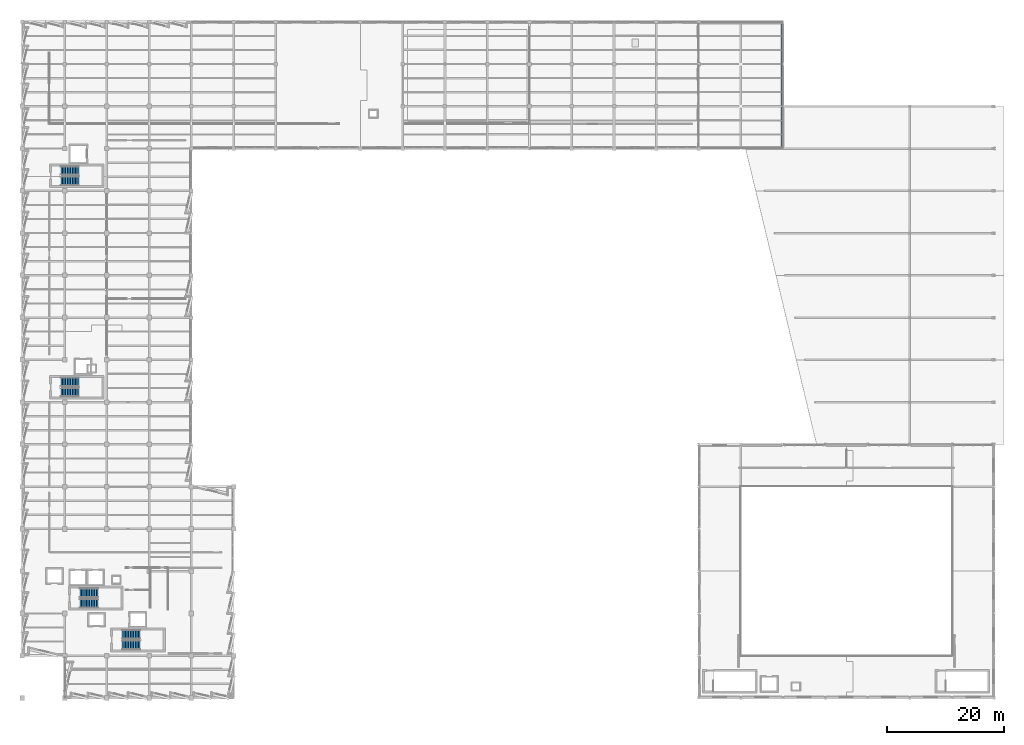
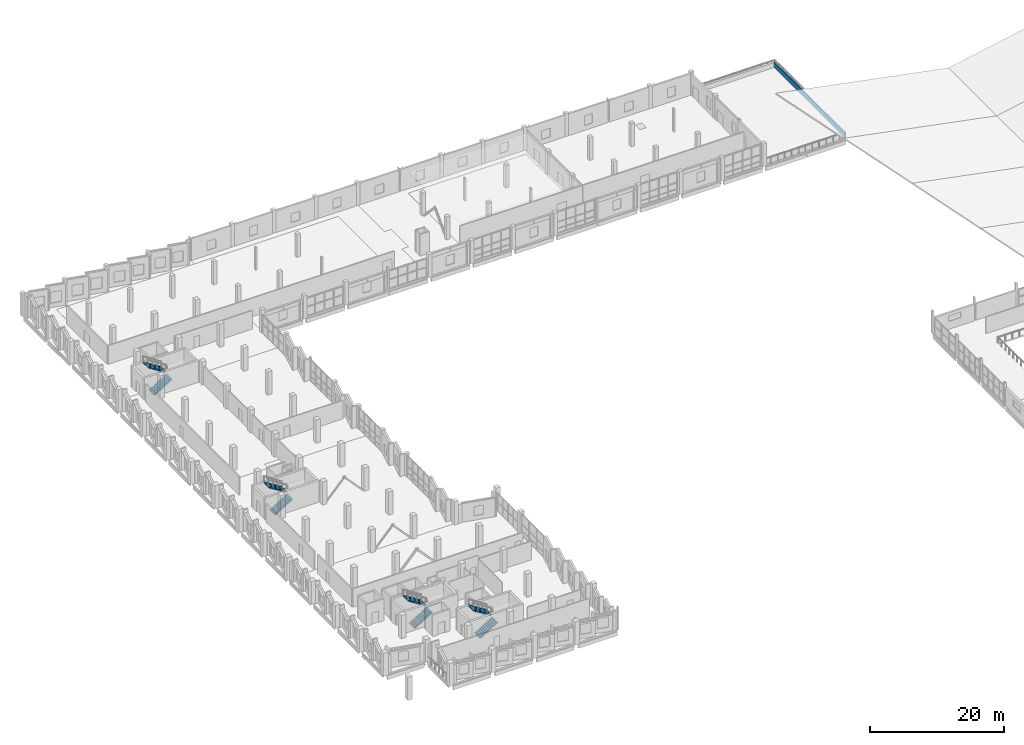
# One storey, part 76 of 94: 8 stair flights, 1 wall, 4 elements without a shape of their own.
"""IFC4 building model written with IfcOpenShell, lengths in metres."""

from ifc_helpers import new_model, si_unit, direction, frame, frame_2d, origin, place, context, subcontext, project, spatial, polyline, rectangle, outline, extrude, material, layer, layer_set, type_object, element, aggregate, save


model = new_model("IFC4")

# Units and contexts
model_context = context("Model", 3, precision=1e-05, world=origin(), true_north=direction((0.0, 1.0)))
body_context = subcontext(model_context, "Body", "Model", "MODEL_VIEW")
ifc_project = project(units=[si_unit("LENGTHUNIT", "METRE"), si_unit("AREAUNIT", "SQUARE_METRE"), si_unit("VOLUMEUNIT", "CUBIC_METRE"), si_unit("PLANEANGLEUNIT", "RADIAN"), si_unit("MASSUNIT", "GRAM", prefix="KILO")], contexts=[model_context])

# Site, building, storey
site_placement = place(None, origin())
site = spatial("IfcSite", under=ifc_project, at=site_placement, CompositionType="ELEMENT")
building_placement = place(site_placement, origin())
building = spatial("IfcBuilding", under=site, at=building_placement, Name="Kalmorath City Hall", CompositionType="ELEMENT")
storey_placement = place(building_placement, frame((0.0, 0.0, 14.699951171875)))
storey = spatial("IfcBuildingStorey", under=building, at=storey_placement, Name="L03", CompositionType="ELEMENT", Elevation=14.699951171875)

# Wall
ifc_material_1 = material(Name="Precast concrete C40/50", Category="concrete")
ifc_layer = layer(ifc_material_1, 0.219970703125)
ifc_layer_set = layer_set([ifc_layer], Name="Precast concrete C40/50")
wall_type = type_object("IfcWallType", Name="Precast concrete roof parapet 220", PredefinedType="PARAPET", material=ifc_layer_set)
wall_placement = place(storey_placement, frame((129.39990234375, 93.800048828125, 0.0), z_axis=(0.0, 0.0, 1.0), x_axis=(0.0, 1.0, 0.0)))
element("IfcWall", 1, at=wall_placement, inside=storey, type_object=wall_type, Name="L03 parapet PR1-2", PredefinedType="PARAPET", context=body_context, shape_type="SweptSolid", body=[
    extrude(rectangle(XDim=21.199951171875, YDim=0.219970703125, at=frame_2d((10.60009765625, 0.0))), origin(), (0.0, 0.0, 1.0), 0.900146484375),
])

# Stair, stair flights
ifc_material_2 = material(Name="Concrete C40/50", Category="concrete")
stair_type_1 = type_object("IfcStairType", Name="Dogleg concrete exit stair 24R x 175mm W1550", PredefinedType="HALF_TURN_STAIR", material=ifc_material_2)
stair_1_placement = place(storey_placement, origin())
stair_1 = element("IfcStair", 2, at=stair_1_placement, inside=storey, type_object=stair_type_1, Name="L03 Protected exit stair ST-3", PredefinedType="HALF_TURN_STAIR")
ifc_material_3 = material(Name="Concrete C40/50", Category="concrete")
stair_flight_type_1 = type_object("IfcStairFlightType", Name="Concrete stair flight 175x280 W1550", PredefinedType="STRAIGHT", material=ifc_material_3)
stair_flight_1_placement = place(storey_placement, frame((6.550048828125, 52.074951171875, 0.0), z_axis=(0.0, 0.0, 1.0), x_axis=(1.0, 0.0, 0.0)))
stair_flight_1 = element("IfcStairFlight", 3, at=stair_flight_1_placement, type_object=stair_flight_type_1, Name="ST-3 flight 1", NumberOfRisers=12, NumberOfTreads=11, PredefinedType="STRAIGHT", RiserHeight=0.175, TreadLength=0.28, context=body_context, shape_type="SweptSolid", body=[
    extrude(outline(polyline([(0.0, 0.0), (0.0, 0.175048828125), (0.280029296875, 0.175048828125), (0.280029296875, 0.35009765625), (0.56005859375, 0.35009765625), (0.56005859375, 0.52490234375), (0.840087890625, 0.52490234375), (0.840087890625, 0.699951171875), (1.1201171875, 0.699951171875), (1.1201171875, 0.875), (1.39990234375, 0.875), (1.39990234375, 1.050048828125), (1.679931640625, 1.050048828125), (1.679931640625, 1.22509765625), (1.9599609375, 1.22509765625), (1.9599609375, 1.39990234375), (2.239990234375, 1.39990234375), (2.239990234375, 1.574951171875), (2.52001953125, 1.574951171875), (2.52001953125, 1.75), (2.800048828125, 1.75), (2.800048828125, 1.925048828125), (3.080078125, 1.925048828125), (3.080078125, 2.10009765625), (3.080078125, 1.748291015625), (0.28271484375, 0.0), (0.0, 0.0)])), frame((0.0, 0.77490234375, 0.0), z_axis=(0.0, -1.0, 0.0), x_axis=(1.0, 0.0, 0.0)), (0.0, 0.0, 1.0), 1.550048828125),
])
stair_flight_2_placement = place(storey_placement, frame((9.6298828125, 53.824951171875, 2.10009765625), z_axis=(0.0, 0.0, 1.0), x_axis=(-1.0, 0.0, 0.0)))
stair_flight_2 = element("IfcStairFlight", 4, at=stair_flight_2_placement, type_object=stair_flight_type_1, Name="ST-3 flight 2", NumberOfRisers=12, NumberOfTreads=11, PredefinedType="STRAIGHT", RiserHeight=0.175, TreadLength=0.28, context=body_context, shape_type="SweptSolid", body=[
    extrude(outline(polyline([(0.0, 0.0), (0.0, 0.175048828125), (0.280029296875, 0.175048828125), (0.280029296875, 0.35009765625), (0.56005859375, 0.35009765625), (0.56005859375, 0.52490234375), (0.840087890625, 0.52490234375), (0.840087890625, 0.699951171875), (1.1201171875, 0.699951171875), (1.1201171875, 0.875), (1.39990234375, 0.875), (1.39990234375, 1.050048828125), (1.679931640625, 1.050048828125), (1.679931640625, 1.22509765625), (1.9599609375, 1.22509765625), (1.9599609375, 1.39990234375), (2.239990234375, 1.39990234375), (2.239990234375, 1.574951171875), (2.52001953125, 1.574951171875), (2.52001953125, 1.75), (2.800048828125, 1.75), (2.800048828125, 1.925048828125), (3.080078125, 1.925048828125), (3.080078125, 2.10009765625), (3.080078125, 1.748291015625), (0.28271484375, 0.0), (0.0, 0.0)])), frame((0.0, 0.77490234375, 0.0), z_axis=(0.0, -1.0, 0.0), x_axis=(1.0, 0.0, 0.0)), (0.0, 0.0, 1.0), 1.550048828125),
])
aggregate(stair_1, [stair_flight_1, stair_flight_2])

stair_2_placement = place(storey_placement, origin())
stair_2 = element("IfcStair", 5, at=stair_2_placement, inside=storey, type_object=stair_type_1, Name="L03 Protected exit stair ST-4", PredefinedType="HALF_TURN_STAIR")
stair_flight_3_placement = place(storey_placement, frame((6.550048828125, 88.074951171875, 0.0), z_axis=(0.0, 0.0, 1.0), x_axis=(1.0, 0.0, 0.0)))
stair_flight_3 = element("IfcStairFlight", 6, at=stair_flight_3_placement, type_object=stair_flight_type_1, Name="ST-4 flight 1", NumberOfRisers=12, NumberOfTreads=11, PredefinedType="STRAIGHT", RiserHeight=0.175, TreadLength=0.28, context=body_context, shape_type="SweptSolid", body=[
    extrude(outline(polyline([(0.0, 0.0), (0.0, 0.175048828125), (0.280029296875, 0.175048828125), (0.280029296875, 0.35009765625), (0.56005859375, 0.35009765625), (0.56005859375, 0.52490234375), (0.840087890625, 0.52490234375), (0.840087890625, 0.699951171875), (1.1201171875, 0.699951171875), (1.1201171875, 0.875), (1.39990234375, 0.875), (1.39990234375, 1.050048828125), (1.679931640625, 1.050048828125), (1.679931640625, 1.22509765625), (1.9599609375, 1.22509765625), (1.9599609375, 1.39990234375), (2.239990234375, 1.39990234375), (2.239990234375, 1.574951171875), (2.52001953125, 1.574951171875), (2.52001953125, 1.75), (2.800048828125, 1.75), (2.800048828125, 1.925048828125), (3.080078125, 1.925048828125), (3.080078125, 2.10009765625), (3.080078125, 1.748291015625), (0.28271484375, 0.0), (0.0, 0.0)])), frame((0.0, 0.77490234375, 0.0), z_axis=(0.0, -1.0, 0.0), x_axis=(1.0, 0.0, 0.0)), (0.0, 0.0, 1.0), 1.550048828125),
])
stair_flight_4_placement = place(storey_placement, frame((9.6298828125, 89.824951171875, 2.10009765625), z_axis=(0.0, 0.0, 1.0), x_axis=(-1.0, 0.0, 0.0)))
stair_flight_4 = element("IfcStairFlight", 7, at=stair_flight_4_placement, type_object=stair_flight_type_1, Name="ST-4 flight 2", NumberOfRisers=12, NumberOfTreads=11, PredefinedType="STRAIGHT", RiserHeight=0.175, TreadLength=0.28, context=body_context, shape_type="SweptSolid", body=[
    extrude(outline(polyline([(0.0, 0.0), (0.0, 0.175048828125), (0.280029296875, 0.175048828125), (0.280029296875, 0.35009765625), (0.56005859375, 0.35009765625), (0.56005859375, 0.52490234375), (0.840087890625, 0.52490234375), (0.840087890625, 0.699951171875), (1.1201171875, 0.699951171875), (1.1201171875, 0.875), (1.39990234375, 0.875), (1.39990234375, 1.050048828125), (1.679931640625, 1.050048828125), (1.679931640625, 1.22509765625), (1.9599609375, 1.22509765625), (1.9599609375, 1.39990234375), (2.239990234375, 1.39990234375), (2.239990234375, 1.574951171875), (2.52001953125, 1.574951171875), (2.52001953125, 1.75), (2.800048828125, 1.75), (2.800048828125, 1.925048828125), (3.080078125, 1.925048828125), (3.080078125, 2.10009765625), (3.080078125, 1.748291015625), (0.28271484375, 0.0), (0.0, 0.0)])), frame((0.0, 0.77490234375, 0.0), z_axis=(0.0, -1.0, 0.0), x_axis=(1.0, 0.0, 0.0)), (0.0, 0.0, 1.0), 1.550048828125),
])
aggregate(stair_2, [stair_flight_3, stair_flight_4])

ifc_material_4 = material(Name="Concrete C40/50", Category="concrete")
stair_type_2 = type_object("IfcStairType", Name="Dogleg concrete exit stair 24R x 175mm W1600", PredefinedType="HALF_TURN_STAIR", material=ifc_material_4)
stair_3_placement = place(storey_placement, origin())
stair_3 = element("IfcStair", 8, at=stair_3_placement, inside=storey, type_object=stair_type_2, Name="L03 Protected exit stair ST-1", PredefinedType="HALF_TURN_STAIR")
ifc_material_5 = material(Name="Concrete C40/50", Category="concrete")
stair_flight_type_2 = type_object("IfcStairFlightType", Name="Concrete stair flight 175x280 W1600", PredefinedType="STRAIGHT", material=ifc_material_5)
stair_flight_5_placement = place(storey_placement, frame((9.800048828125, 16.10009765625, 0.0), z_axis=(0.0, 0.0, 1.0), x_axis=(1.0, 0.0, 0.0)))
stair_flight_5 = element("IfcStairFlight", 9, at=stair_flight_5_placement, type_object=stair_flight_type_2, Name="ST-1 flight 1", NumberOfRisers=12, NumberOfTreads=11, PredefinedType="STRAIGHT", RiserHeight=0.175, TreadLength=0.28, context=body_context, shape_type="SweptSolid", body=[
    extrude(outline(polyline([(0.0, 0.0), (0.0, 0.175048828125), (0.280029296875, 0.175048828125), (0.280029296875, 0.35009765625), (0.56005859375, 0.35009765625), (0.56005859375, 0.52490234375), (0.840087890625, 0.52490234375), (0.840087890625, 0.699951171875), (1.1201171875, 0.699951171875), (1.1201171875, 0.875), (1.39990234375, 0.875), (1.39990234375, 1.050048828125), (1.679931640625, 1.050048828125), (1.679931640625, 1.22509765625), (1.9599609375, 1.22509765625), (1.9599609375, 1.39990234375), (2.239990234375, 1.39990234375), (2.239990234375, 1.574951171875), (2.52001953125, 1.574951171875), (2.52001953125, 1.75), (2.800048828125, 1.75), (2.800048828125, 1.925048828125), (3.080078125, 1.925048828125), (3.080078125, 2.10009765625), (3.080078125, 1.748291015625), (0.28271484375, 0.0), (0.0, 0.0)])), frame((0.0, 0.800048828125, 0.0), z_axis=(0.0, -1.0, 0.0), x_axis=(1.0, 0.0, 0.0)), (0.0, 0.0, 1.0), 1.60009765625),
])
stair_flight_6_placement = place(storey_placement, frame((12.8798828125, 17.89990234375, 2.10009765625), z_axis=(0.0, 0.0, 1.0), x_axis=(-1.0, 0.0, 0.0)))
stair_flight_6 = element("IfcStairFlight", 10, at=stair_flight_6_placement, type_object=stair_flight_type_2, Name="ST-1 flight 2", NumberOfRisers=12, NumberOfTreads=11, PredefinedType="STRAIGHT", RiserHeight=0.175, TreadLength=0.28, context=body_context, shape_type="SweptSolid", body=[
    extrude(outline(polyline([(0.0, 0.0), (0.0, 0.175048828125), (0.280029296875, 0.175048828125), (0.280029296875, 0.35009765625), (0.56005859375, 0.35009765625), (0.56005859375, 0.52490234375), (0.840087890625, 0.52490234375), (0.840087890625, 0.699951171875), (1.1201171875, 0.699951171875), (1.1201171875, 0.875), (1.39990234375, 0.875), (1.39990234375, 1.050048828125), (1.679931640625, 1.050048828125), (1.679931640625, 1.22509765625), (1.9599609375, 1.22509765625), (1.9599609375, 1.39990234375), (2.239990234375, 1.39990234375), (2.239990234375, 1.574951171875), (2.52001953125, 1.574951171875), (2.52001953125, 1.75), (2.800048828125, 1.75), (2.800048828125, 1.925048828125), (3.080078125, 1.925048828125), (3.080078125, 2.10009765625), (3.080078125, 1.748291015625), (0.28271484375, 0.0), (0.0, 0.0)])), frame((0.0, 0.800048828125, 0.0), z_axis=(0.0, -1.0, 0.0), x_axis=(1.0, 0.0, 0.0)), (0.0, 0.0, 1.0), 1.60009765625),
])
aggregate(stair_3, [stair_flight_5, stair_flight_6])

stair_4_placement = place(storey_placement, origin())
stair_4 = element("IfcStair", 11, at=stair_4_placement, inside=storey, type_object=stair_type_2, Name="L03 Protected exit stair ST-2", PredefinedType="HALF_TURN_STAIR")
stair_flight_7_placement = place(storey_placement, frame((17.0, 9.0, 0.0), z_axis=(0.0, 0.0, 1.0), x_axis=(1.0, 0.0, 0.0)))
stair_flight_7 = element("IfcStairFlight", 12, at=stair_flight_7_placement, type_object=stair_flight_type_2, Name="ST-2 flight 1", NumberOfRisers=12, NumberOfTreads=11, PredefinedType="STRAIGHT", RiserHeight=0.175, TreadLength=0.28, context=body_context, shape_type="SweptSolid", body=[
    extrude(outline(polyline([(0.0, 0.0), (0.0, 0.175048828125), (0.280029296875, 0.175048828125), (0.280029296875, 0.35009765625), (0.56005859375, 0.35009765625), (0.56005859375, 0.52490234375), (0.840087890625, 0.52490234375), (0.840087890625, 0.699951171875), (1.1201171875, 0.699951171875), (1.1201171875, 0.875), (1.39990234375, 0.875), (1.39990234375, 1.050048828125), (1.679931640625, 1.050048828125), (1.679931640625, 1.22509765625), (1.9599609375, 1.22509765625), (1.9599609375, 1.39990234375), (2.239990234375, 1.39990234375), (2.239990234375, 1.574951171875), (2.52001953125, 1.574951171875), (2.52001953125, 1.75), (2.800048828125, 1.75), (2.800048828125, 1.925048828125), (3.080078125, 1.925048828125), (3.080078125, 2.10009765625), (3.080078125, 1.748291015625), (0.28271484375, 0.0), (0.0, 0.0)])), frame((0.0, 0.800048828125, 0.0), z_axis=(0.0, -1.0, 0.0), x_axis=(1.0, 0.0, 0.0)), (0.0, 0.0, 1.0), 1.60009765625),
])
stair_flight_8_placement = place(storey_placement, frame((20.080078125, 10.800048828125, 2.10009765625), z_axis=(0.0, 0.0, 1.0), x_axis=(-1.0, 0.0, 0.0)))
stair_flight_8 = element("IfcStairFlight", 13, at=stair_flight_8_placement, type_object=stair_flight_type_2, Name="ST-2 flight 2", NumberOfRisers=12, NumberOfTreads=11, PredefinedType="STRAIGHT", RiserHeight=0.175, TreadLength=0.28, context=body_context, shape_type="SweptSolid", body=[
    extrude(outline(polyline([(0.0, 0.0), (0.0, 0.175048828125), (0.280029296875, 0.175048828125), (0.280029296875, 0.35009765625), (0.56005859375, 0.35009765625), (0.56005859375, 0.52490234375), (0.840087890625, 0.52490234375), (0.840087890625, 0.699951171875), (1.1201171875, 0.699951171875), (1.1201171875, 0.875), (1.39990234375, 0.875), (1.39990234375, 1.050048828125), (1.679931640625, 1.050048828125), (1.679931640625, 1.22509765625), (1.9599609375, 1.22509765625), (1.9599609375, 1.39990234375), (2.239990234375, 1.39990234375), (2.239990234375, 1.574951171875), (2.52001953125, 1.574951171875), (2.52001953125, 1.75), (2.800048828125, 1.75), (2.800048828125, 1.925048828125), (3.080078125, 1.925048828125), (3.080078125, 2.10009765625), (3.080078125, 1.748291015625), (0.28271484375, 0.0), (0.0, 0.0)])), frame((0.0, 0.800048828125, 0.0), z_axis=(0.0, -1.0, 0.0), x_axis=(1.0, 0.0, 0.0)), (0.0, 0.0, 1.0), 1.60009765625),
])
aggregate(stair_4, [stair_flight_7, stair_flight_8])

save(model, "model.ifc")
